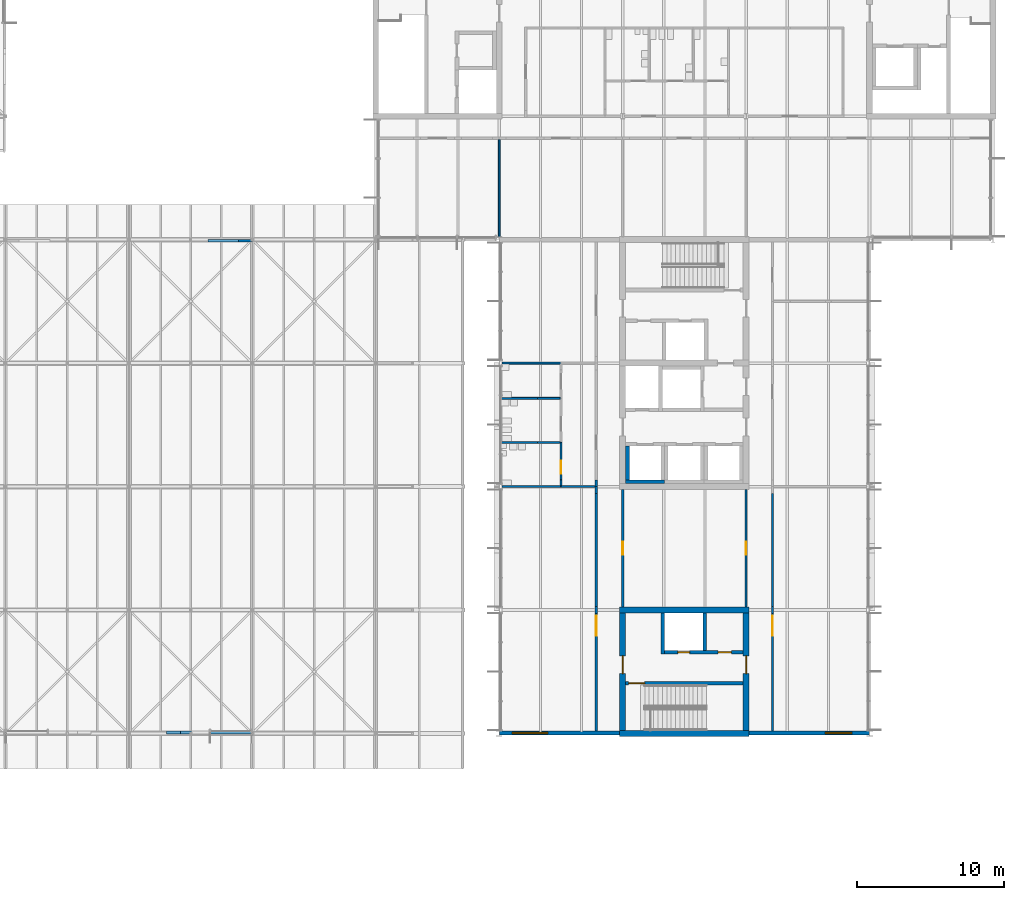
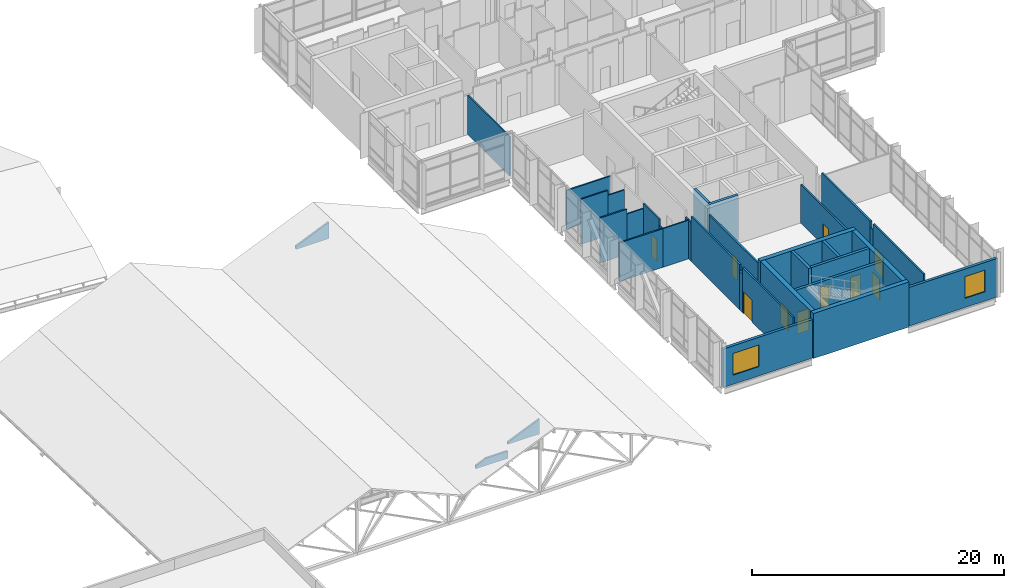
# One storey, part 34 of 76: 35 walls, 10 doors, 2 windows, 12 openings.
"""IFC4 building model written with IfcOpenShell, lengths in metres."""

from ifc_helpers import new_model, si_unit, direction, frame, frame_2d, origin, place, context, subcontext, project, spatial, polyline, rectangle, outline, extrude, material, layer, layer_set, type_object, element, fill, save


model = new_model("IFC4")

# Units and contexts
model_context = context("Model", 3, precision=1e-05, world=origin(), true_north=direction((0.0, 1.0)))
body_context = subcontext(model_context, "Body", "Model", "MODEL_VIEW")
ifc_project = project(units=[si_unit("LENGTHUNIT", "METRE"), si_unit("AREAUNIT", "SQUARE_METRE"), si_unit("VOLUMEUNIT", "CUBIC_METRE"), si_unit("PLANEANGLEUNIT", "RADIAN"), si_unit("MASSUNIT", "GRAM", prefix="KILO")], contexts=[model_context])

# Site, building, storey
site_placement = place(None, origin())
site = spatial("IfcSite", under=ifc_project, at=site_placement, CompositionType="ELEMENT")
building_placement = place(site_placement, origin())
building = spatial("IfcBuilding", under=site, at=building_placement, Name="Hlaing Beacon Police Headquarters", CompositionType="ELEMENT")
storey_placement = place(building_placement, frame((0.0, 0.0, 18.89990234375)))
storey = spatial("IfcBuildingStorey", under=building, at=storey_placement, Name="L04", CompositionType="ELEMENT", Elevation=18.89990234375)

# Walls
ifc_material_1 = material(Name="Concrete C60/75", Category="concrete")
ifc_layer_1 = layer(ifc_material_1, 0.39990234375)
ifc_layer_set_1 = layer_set([ifc_layer_1], Name="Concrete C60/75")
wall_type_1 = type_object("IfcWallType", Name="Core shear wall 400", PredefinedType="SHEAR", material=ifc_layer_set_1)
for number, where, z_axis, x_axis, name in (
    (1, (109.0, 33.60009765625, 0.0), (0.0, 0.0, 1.0), (1.0, 0.0, 0.0), "Core shear wall"),
    (2, (109.0, 42.0, 0.0), (0.0, 0.0, 1.0), (1.0, 0.0, 0.0), "Core shear wall"),
):
    element("IfcWall", number, at=place(storey_placement, frame(where, z_axis=z_axis, x_axis=x_axis)), inside=storey, type_object=wall_type_1, Name=name, PredefinedType="SHEAR", context=body_context, shape_type="SweptSolid", body=[
        extrude(rectangle(XDim=8.800048828125, YDim=0.39990234375, at=frame_2d((4.39990234375, 0.0))), origin(), (0.0, 0.0, 1.0), 4.3701171875),
    ])

# Wall, opening, door
wall_1_placement = place(storey_placement, frame((109.199951171875, 33.800048828125, 0.0), z_axis=(0.0, 0.0, 1.0), x_axis=(0.0, 1.0, 0.0)))
wall_1 = element("IfcWall", 3, at=wall_1_placement, inside=storey, type_object=wall_type_1, Name="Core shear wall", PredefinedType="SHEAR", context=body_context, shape_type="SweptSolid", body=[
    extrude(rectangle(XDim=8.0, YDim=0.39990234375, at=frame_2d((4.0, 0.0))), origin(), (0.0, 0.0, 1.0), 4.3701171875),
])
opening_1_placement = place(wall_1_placement, frame((3.875, 0.0, 0.0)))
opening_1 = element("IfcOpeningElement", 4, at=opening_1_placement, cuts=wall_1, Name="Opening L04-912", PredefinedType="OPENING", context=body_context, shape_type="SweptSolid", body=[
    extrude(rectangle(XDim=1.199951171875, YDim=2.10009765625, at=frame_2d((0.60009765625, 1.050048828125))), frame((0.0, 0.2099609375, 0.0), z_axis=(0.0, -1.0, 0.0), x_axis=(1.0, 0.0, 0.0)), (0.0, 0.0, 1.0), 0.419921875),
])
ifc_material_2 = material(Name="Steel fire door leaf", Category="steel")
ifc_layer_2 = layer(ifc_material_2, 0.070068359375)
ifc_layer_set_2 = layer_set([ifc_layer_2], Name="Steel fire door leaf")
door_type_1 = type_object("IfcDoorType", Name="Steel fire door FD60S 1200x2100", OperationType="SINGLE_SWING_LEFT", PredefinedType="DOOR", material=ifc_layer_set_2)
door_1_placement = place(opening_1_placement, frame((1.199951171875, 0.0, 0.0), z_axis=(0.0, 0.0, 1.0), x_axis=(-1.0, 0.0, 0.0)))
door_1 = element("IfcDoor", 5, at=door_1_placement, inside=storey, type_object=door_type_1, Name="Door Stair Lobby ST-L Entry", OperationType="SINGLE_SWING_RIGHT", OverallHeight=2.10009765625, OverallWidth=1.199951171875, PredefinedType="DOOR", context=body_context, shape_type="SweptSolid", body=[
    extrude(rectangle(XDim=1.199951171875, YDim=2.10009765625, at=frame_2d((0.599853515625, 1.050048828125))), frame((0.0, 0.034912109375, 0.0), z_axis=(0.0, -1.0, 0.0), x_axis=(1.0, 0.0, 0.0)), (0.0, 0.0, 1.0), 0.070068359375),
])
fill(opening_1, door_1)

wall_2_placement = place(storey_placement, frame((117.60009765625, 33.800048828125, 0.0), z_axis=(0.0, 0.0, 1.0), x_axis=(0.0, 1.0, 0.0)))
wall_2 = element("IfcWall", 6, at=wall_2_placement, inside=storey, type_object=wall_type_1, Name="Core shear wall", PredefinedType="SHEAR", context=body_context, shape_type="SweptSolid", body=[
    extrude(rectangle(XDim=8.0, YDim=0.39990234375, at=frame_2d((4.0, 0.0))), origin(), (0.0, 0.0, 1.0), 4.3701171875),
])
opening_2_placement = place(wall_2_placement, frame((3.875, 0.0, 0.0)))
opening_2 = element("IfcOpeningElement", 7, at=opening_2_placement, cuts=wall_2, Name="Opening L04-913", PredefinedType="OPENING", context=body_context, shape_type="SweptSolid", body=[
    extrude(rectangle(XDim=1.199951171875, YDim=2.10009765625, at=frame_2d((0.60009765625, 1.050048828125))), frame((0.0, 0.2099609375, 0.0), z_axis=(0.0, -1.0, 0.0), x_axis=(1.0, 0.0, 0.0)), (0.0, 0.0, 1.0), 0.419921875),
])
door_2_placement = place(opening_2_placement, origin())
door_2 = element("IfcDoor", 8, at=door_2_placement, inside=storey, type_object=door_type_1, Name="Door Stair Lobby ST-L Entry", OperationType="SINGLE_SWING_LEFT", OverallHeight=2.10009765625, OverallWidth=1.199951171875, PredefinedType="DOOR", context=body_context, shape_type="SweptSolid", body=[
    extrude(rectangle(XDim=1.199951171875, YDim=2.10009765625, at=frame_2d((0.60009765625, 1.050048828125))), frame((0.0, 0.03515625, 0.0), z_axis=(0.0, -1.0, 0.0), x_axis=(1.0, 0.0, 0.0)), (0.0, 0.0, 1.0), 0.070068359375),
])
fill(opening_2, door_2)

ifc_material_3 = material(Name="Gypsum board partition")
ifc_layer_3 = layer(ifc_material_3, 0.14990234375)
ifc_layer_set_3 = layer_set([ifc_layer_3], Name="Gypsum board partition")
wall_type_2 = type_object("IfcWallType", Name="Corridor wall EI 30 150", PredefinedType="PARTITIONING", material=ifc_layer_set_3)
wall_3_placement = place(storey_placement, frame((119.39990234375, 33.75, 0.0), z_axis=(0.0, 0.0, 1.0), x_axis=(0.0, 1.0, 0.0)))
wall_3 = element("IfcWall", 9, at=wall_3_placement, inside=storey, type_object=wall_type_2, Name="Corridor wall EI 30 150", PredefinedType="PARTITIONING", context=body_context, shape_type="SweptSolid", body=[
    extrude(rectangle(XDim=8.02001953125, YDim=0.14990234375, at=frame_2d((4.010009765625, 0.0))), origin(), (0.0, 0.0, 1.0), 4.3701171875),
])
opening_3_placement = place(wall_3_placement, frame((6.5, 0.0, 0.0)))
opening_3 = element("IfcOpeningElement", 10, at=opening_3_placement, cuts=wall_3, Name="Opening L04-001", PredefinedType="OPENING", context=body_context, shape_type="SweptSolid", body=[
    extrude(rectangle(XDim=1.35009765625, YDim=2.10009765625, at=frame_2d((0.675048828125, 1.050048828125))), frame((0.0, 0.0849609375, 0.0), z_axis=(0.0, -1.0, 0.0), x_axis=(1.0, 0.0, 0.0)), (0.0, 0.0, 1.0), 0.169921875),
])
ifc_material_4 = material(Name="Hardwood door leaf", Category="wood")
ifc_layer_4 = layer(ifc_material_4, 0.050048828125)
ifc_layer_set_4 = layer_set([ifc_layer_4], Name="Hardwood door leaf")
door_type_2 = type_object("IfcDoorType", Name="Fire leaf-and-a-half door FD30S 1350x2100", OperationType="DOUBLE_DOOR_SINGLE_SWING", PredefinedType="DOOR", material=ifc_layer_set_4)
door_3_placement = place(opening_3_placement, frame((1.35009765625, 0.0, 0.0), z_axis=(0.0, 0.0, 1.0), x_axis=(-1.0, 0.0, 0.0)))
door_3 = element("IfcDoor", 11, at=door_3_placement, inside=storey, type_object=door_type_2, Name="Door Surveillance Operations Room", OperationType="DOUBLE_DOOR_SINGLE_SWING", OverallHeight=2.10009765625, OverallWidth=1.35009765625, PredefinedType="DOOR", context=body_context, shape_type="SweptSolid", body=[
    extrude(rectangle(XDim=1.35009765625, YDim=2.10009765625, at=frame_2d((0.675048828125, 1.050048828125))), frame((0.0, 0.025146484375, 0.0), z_axis=(0.0, -1.0, 0.0), x_axis=(1.0, 0.0, 0.0)), (0.0, 0.0, 1.0), 0.050048828125),
])
fill(opening_3, door_3)

# Walls
wall_4_placement = place(storey_placement, frame((119.39990234375, 41.77001953125, 0.0), z_axis=(0.0, 0.0, 1.0), x_axis=(0.0, 1.0, 0.0)))
element("IfcWall", 12, at=wall_4_placement, inside=storey, type_object=wall_type_2, Name="Corridor wall EI 30 150", PredefinedType="PARTITIONING", context=body_context, shape_type="SweptSolid", body=[
    extrude(rectangle(XDim=0.4599609375, YDim=0.14990234375, at=frame_2d((0.22998046875, 0.0))), origin(), (0.0, 0.0, 1.0), 3.74609375),
])
wall_5_placement = place(storey_placement, frame((119.39990234375, 42.22998046875, 0.0), z_axis=(0.0, 0.0, 1.0), x_axis=(0.0, 1.0, 0.0)))
element("IfcWall", 13, at=wall_5_placement, inside=storey, type_object=wall_type_2, Name="Corridor wall EI 30 150", PredefinedType="PARTITIONING", context=body_context, shape_type="SweptSolid", body=[
    extrude(rectangle(XDim=7.7099609375, YDim=0.14990234375, at=frame_2d((3.85498046875, 0.0))), origin(), (0.0, 0.0, 1.0), 4.3701171875),
])

# Wall, opening, door
wall_6_placement = place(storey_placement, frame((117.60009765625, 42.199951171875, 0.0), z_axis=(0.0, 0.0, 1.0), x_axis=(0.0, 1.0, 0.0)))
wall_6 = element("IfcWall", 14, at=wall_6_placement, inside=storey, type_object=wall_type_2, Name="Corridor wall EI 30 150", PredefinedType="PARTITIONING", context=body_context, shape_type="SweptSolid", body=[
    extrude(rectangle(XDim=8.0, YDim=0.14990234375, at=frame_2d((4.0, 0.0))), origin(), (0.0, 0.0, 1.0), 3.74609375),
])
opening_4_placement = place(wall_6_placement, frame((3.550048828125, 0.0, 0.0)))
opening_4 = element("IfcOpeningElement", 15, at=opening_4_placement, cuts=wall_6, Name="Opening L04-004", PredefinedType="OPENING", context=body_context, shape_type="SweptSolid", body=[
    extrude(rectangle(XDim=0.89990234375, YDim=2.10009765625, at=frame_2d((0.449951171875, 1.050048828125))), frame((0.0, 0.0849609375, 0.0), z_axis=(0.0, -1.0, 0.0), x_axis=(1.0, 0.0, 0.0)), (0.0, 0.0, 1.0), 0.169921875),
])
ifc_material_5 = material(Name="Hardwood door leaf", Category="wood")
ifc_layer_5 = layer(ifc_material_5, 0.050048828125)
ifc_layer_set_5 = layer_set([ifc_layer_5], Name="Hardwood door leaf")
door_type_3 = type_object("IfcDoorType", Name="Fire door FD30S 900x2100", OperationType="SINGLE_SWING_LEFT", PredefinedType="DOOR", material=ifc_layer_set_5)
door_4_placement = place(opening_4_placement, origin())
door_4 = element("IfcDoor", 16, at=door_4_placement, inside=storey, type_object=door_type_3, Name="Door Covert Operations Office", OperationType="SINGLE_SWING_RIGHT", OverallHeight=2.10009765625, OverallWidth=0.89990234375, PredefinedType="DOOR", context=body_context, shape_type="SweptSolid", body=[
    extrude(rectangle(XDim=0.89990234375, YDim=2.10009765625, at=frame_2d((0.449951171875, 1.050048828125))), frame((0.0, 0.02490234375, 0.0), z_axis=(0.0, -1.0, 0.0), x_axis=(1.0, 0.0, 0.0)), (0.0, 0.0, 1.0), 0.050048828125),
])
fill(opening_4, door_4)

wall_7_placement = place(storey_placement, frame((109.199951171875, 42.199951171875, 0.0), z_axis=(0.0, 0.0, 1.0), x_axis=(0.0, 1.0, 0.0)))
wall_7 = element("IfcWall", 17, at=wall_7_placement, inside=storey, type_object=wall_type_2, Name="Corridor wall EI 30 150", PredefinedType="PARTITIONING", context=body_context, shape_type="SweptSolid", body=[
    extrude(rectangle(XDim=8.0, YDim=0.14990234375, at=frame_2d((4.0, 0.0))), origin(), (0.0, 0.0, 1.0), 3.74609375),
])
opening_5_placement = place(wall_7_placement, frame((3.550048828125, 0.0, 0.0)))
opening_5 = element("IfcOpeningElement", 18, at=opening_5_placement, cuts=wall_7, Name="Opening L04-005", PredefinedType="OPENING", context=body_context, shape_type="SweptSolid", body=[
    extrude(rectangle(XDim=0.89990234375, YDim=2.10009765625, at=frame_2d((0.449951171875, 1.050048828125))), frame((0.0, 0.0849609375, 0.0), z_axis=(0.0, -1.0, 0.0), x_axis=(1.0, 0.0, 0.0)), (0.0, 0.0, 1.0), 0.169921875),
])
door_5_placement = place(opening_5_placement, frame((0.89990234375, 0.0, 0.0), z_axis=(0.0, 0.0, 1.0), x_axis=(-1.0, 0.0, 0.0)))
door_5 = element("IfcDoor", 19, at=door_5_placement, inside=storey, type_object=door_type_3, Name="Door Covert Operations Office", OperationType="SINGLE_SWING_LEFT", OverallHeight=2.10009765625, OverallWidth=0.89990234375, PredefinedType="DOOR", context=body_context, shape_type="SweptSolid", body=[
    extrude(rectangle(XDim=0.89990234375, YDim=2.10009765625, at=frame_2d((0.449951171875, 1.050048828125))), frame((0.0, 0.025146484375, 0.0), z_axis=(0.0, -1.0, 0.0), x_axis=(1.0, 0.0, 0.0)), (0.0, 0.0, 1.0), 0.050048828125),
])
fill(opening_5, door_5)

wall_8_placement = place(storey_placement, frame((107.39990234375, 33.75, 0.0), z_axis=(0.0, 0.0, 1.0), x_axis=(0.0, 1.0, 0.0)))
wall_8 = element("IfcWall", 20, at=wall_8_placement, inside=storey, type_object=wall_type_2, Name="Corridor wall EI 30 150", PredefinedType="PARTITIONING", context=body_context, shape_type="SweptSolid", body=[
    extrude(rectangle(XDim=8.02001953125, YDim=0.14990234375, at=frame_2d((4.010009765625, 0.0))), origin(), (0.0, 0.0, 1.0), 4.3701171875),
])
opening_6_placement = place(wall_8_placement, frame((6.5, 0.0, 0.0)))
opening_6 = element("IfcOpeningElement", 21, at=opening_6_placement, cuts=wall_8, Name="Opening L04-006", PredefinedType="OPENING", context=body_context, shape_type="SweptSolid", body=[
    extrude(rectangle(XDim=1.35009765625, YDim=2.10009765625, at=frame_2d((0.675048828125, 1.050048828125))), frame((0.0, 0.0849609375, 0.0), z_axis=(0.0, -1.0, 0.0), x_axis=(1.0, 0.0, 0.0)), (0.0, 0.0, 1.0), 0.169921875),
])
door_6_placement = place(opening_6_placement, origin())
door_6 = element("IfcDoor", 22, at=door_6_placement, inside=storey, type_object=door_type_2, Name="Door Serious and Organised Crime Unit Office", OperationType="DOUBLE_DOOR_SINGLE_SWING", OverallHeight=2.10009765625, OverallWidth=1.35009765625, PredefinedType="DOOR", context=body_context, shape_type="SweptSolid", body=[
    extrude(rectangle(XDim=1.35009765625, YDim=2.10009765625, at=frame_2d((0.675048828125, 1.050048828125))), frame((0.0, 0.02490234375, 0.0), z_axis=(0.0, -1.0, 0.0), x_axis=(1.0, 0.0, 0.0)), (0.0, 0.0, 1.0), 0.050048828125),
])
fill(opening_6, door_6)

# Walls
wall_9_placement = place(storey_placement, frame((107.39990234375, 41.77001953125, 0.0), z_axis=(0.0, 0.0, 1.0), x_axis=(0.0, 1.0, 0.0)))
element("IfcWall", 23, at=wall_9_placement, inside=storey, type_object=wall_type_2, Name="Corridor wall EI 30 150", PredefinedType="PARTITIONING", context=body_context, shape_type="SweptSolid", body=[
    extrude(rectangle(XDim=0.4599609375, YDim=0.14990234375, at=frame_2d((0.22998046875, 0.0))), origin(), (0.0, 0.0, 1.0), 3.74609375),
])
wall_10_placement = place(storey_placement, frame((107.39990234375, 42.22998046875, 0.0), z_axis=(0.0, 0.0, 1.0), x_axis=(0.0, 1.0, 0.0)))
element("IfcWall", 24, at=wall_10_placement, inside=storey, type_object=wall_type_2, Name="Corridor wall EI 30 150", PredefinedType="PARTITIONING", context=body_context, shape_type="SweptSolid", body=[
    extrude(rectangle(XDim=7.7099609375, YDim=0.14990234375, at=frame_2d((3.85498046875, 0.0))), origin(), (0.0, 0.0, 1.0), 4.3701171875),
])
wall_11_placement = place(storey_placement, frame((107.39990234375, 49.93994140625, 0.0), z_axis=(0.0, 0.0, 1.0), x_axis=(0.0, 1.0, 0.0)))
element("IfcWall", 25, at=wall_11_placement, inside=storey, type_object=wall_type_2, Name="Corridor wall EI 30 150", PredefinedType="PARTITIONING", context=body_context, shape_type="SweptSolid", body=[
    extrude(rectangle(XDim=0.4599609375, YDim=0.14990234375, at=frame_2d((0.22998046875, 0.0))), origin(), (0.0, 0.0, 1.0), 3.74609375),
])
wall_12_placement = place(storey_placement, frame((107.39990234375, 50.39990234375, 0.0), z_axis=(0.0, 0.0, 1.0), x_axis=(0.0, 1.0, 0.0)))
element("IfcWall", 26, at=wall_12_placement, inside=storey, type_object=wall_type_2, Name="Corridor wall EI 30 150", PredefinedType="PARTITIONING", context=body_context, shape_type="SweptSolid", body=[
    extrude(rectangle(XDim=0.460205078125, YDim=0.14990234375, at=frame_2d((0.22998046875, 0.0))), origin(), (0.0, 0.0, 1.0), 3.74609375),
])
ifc_material_6 = material(Name="Insulated aluminium panel infill", Category="aluminium")
ifc_layer_6 = layer(ifc_material_6, 0.175048828125)
ifc_layer_set_6 = layer_set([ifc_layer_6], Name="Insulated aluminium panel infill")
wall_type_3 = type_object("IfcWallType", Name="Insulated panel infill wall 175", PredefinedType="SOLIDWALL", material=ifc_layer_set_6)
wall_13_placement = place(storey_placement, frame((84.0, 67.137451171875, 0.0), z_axis=(0.0, 0.0, 1.0), x_axis=(-1.0, 0.0, 0.0)))
element("IfcWall", 27, at=wall_13_placement, inside=storey, type_object=wall_type_3, Name="Gable fascia L04 N001", PredefinedType="SOLIDWALL", context=body_context, shape_type="SweptSolid", body=[
    extrude(outline(polyline([(0.0, 0.0), (3.033203125, 0.0), (3.033203125, 0.300048828125), (0.0, 1.60009765625), (0.0, 0.0)])), frame((0.0, 0.08740234375, 0.0), z_axis=(0.0, -1.0, 0.0), x_axis=(1.0, 0.0, 0.0)), (0.0, 0.0, 1.0), 0.175048828125),
])
wall_14_placement = place(storey_placement, frame((78.166748046875, 33.66259765625, 0.0), z_axis=(0.0, 0.0, 1.0), x_axis=(1.0, 0.0, 0.0)))
element("IfcWall", 28, at=wall_14_placement, inside=storey, type_object=wall_type_3, Name="Gable fascia L04 S005", PredefinedType="SOLIDWALL", context=body_context, shape_type="SweptSolid", body=[
    extrude(outline(polyline([(0.0, 0.0), (2.91650390625, 0.0), (2.91650390625, 0.701171875), (0.935546875, 0.701171875), (0.0, 0.300048828125), (0.0, 0.0)])), frame((0.0, 0.08740234375, 0.0), z_axis=(0.0, -1.0, 0.0), x_axis=(1.0, 0.0, 0.0)), (0.0, 0.0, 1.0), 0.175048828125),
])
wall_15_placement = place(storey_placement, frame((81.083251953125, 33.66259765625, 1.35009765625), z_axis=(0.0, 0.0, 1.0), x_axis=(1.0, 0.0, 0.0)))
element("IfcWall", 29, at=wall_15_placement, inside=storey, type_object=wall_type_3, Name="Gable fascia L04 S006", PredefinedType="SOLIDWALL", context=body_context, shape_type="SweptSolid", body=[
    extrude(outline(polyline([(0.0, 0.0), (2.916748046875, 0.0), (2.916748046875, 1.449951171875), (0.0, 0.199951171875), (0.0, 0.0)])), frame((0.0, 0.08740234375, 0.0), z_axis=(0.0, -1.0, 0.0), x_axis=(1.0, 0.0, 0.0)), (0.0, 0.0, 1.0), 0.175048828125),
])
ifc_material_7 = material(Name="Gypsum board partition")
ifc_layer_7 = layer(ifc_material_7, 0.125)
ifc_layer_set_7 = layer_set([ifc_layer_7], Name="Gypsum board partition")
wall_type_4 = type_object("IfcWallType", Name="Partition 125", PredefinedType="PARTITIONING", material=ifc_layer_set_7)
wall_16_placement = place(storey_placement, frame((105.0, 50.39990234375, 0.0), z_axis=(0.0, 0.0, 1.0), x_axis=(1.0, 0.0, 0.0)))
element("IfcWall", 30, at=wall_16_placement, inside=storey, type_object=wall_type_4, Name="Partition 125", PredefinedType="PARTITIONING", context=body_context, shape_type="SweptSolid", body=[
    extrude(rectangle(XDim=2.324951171875, YDim=0.125, at=frame_2d((1.16259765625, 0.0))), origin(), (0.0, 0.0, 1.0), 3.74609375),
])
wall_17_placement = place(storey_placement, frame((100.9970703125, 50.39990234375, 0.0), z_axis=(0.0, 0.0, 1.0), x_axis=(1.0, 0.0, 0.0)))
element("IfcWall", 31, at=wall_17_placement, inside=storey, type_object=wall_type_4, Name="Partition 125", PredefinedType="PARTITIONING", context=body_context, shape_type="SweptSolid", body=[
    extrude(rectangle(XDim=4.0029296875, YDim=0.125, at=frame_2d((2.00146484375, 0.0))), origin(), (0.0, 0.0, 1.0), 3.74609375),
])
wall_18_placement = place(storey_placement, frame((100.949951171875, 56.39990234375, 0.0), z_axis=(0.0, 0.0, 1.0), x_axis=(1.0, 0.0, 0.0)))
element("IfcWall", 32, at=wall_18_placement, inside=storey, type_object=wall_type_4, Name="Partition 125", PredefinedType="PARTITIONING", context=body_context, shape_type="SweptSolid", body=[
    extrude(rectangle(XDim=2.45703125, YDim=0.125, at=frame_2d((1.228515625, 0.0))), origin(), (0.0, 0.0, 1.0), 4.3701171875),
])
wall_19_placement = place(storey_placement, frame((103.406982421875, 56.39990234375, 0.0), z_axis=(0.0, 0.0, 1.0), x_axis=(1.0, 0.0, 0.0)))
element("IfcWall", 33, at=wall_19_placement, inside=storey, type_object=wall_type_4, Name="Partition 125", PredefinedType="PARTITIONING", context=body_context, shape_type="SweptSolid", body=[
    extrude(rectangle(XDim=1.531005859375, YDim=0.125, at=frame_2d((0.765625, 0.0))), origin(), (0.0, 0.0, 1.0), 3.89501953125),
])
wall_20_placement = place(storey_placement, frame((100.9970703125, 58.800048828125, 0.0), z_axis=(0.0, 0.0, 1.0), x_axis=(1.0, 0.0, 0.0)))
element("IfcWall", 34, at=wall_20_placement, inside=storey, type_object=wall_type_4, Name="Partition 125", PredefinedType="PARTITIONING", context=body_context, shape_type="SweptSolid", body=[
    extrude(rectangle(XDim=4.0029296875, YDim=0.125, at=frame_2d((2.00146484375, 0.0))), origin(), (0.0, 0.0, 1.0), 3.74609375),
])
wall_21_placement = place(storey_placement, frame((100.949951171875, 53.39990234375, 0.0), z_axis=(0.0, 0.0, 1.0), x_axis=(1.0, 0.0, 0.0)))
element("IfcWall", 35, at=wall_21_placement, inside=storey, type_object=wall_type_4, Name="Partition 125", PredefinedType="PARTITIONING", context=body_context, shape_type="SweptSolid", body=[
    extrude(rectangle(XDim=2.45703125, YDim=0.125, at=frame_2d((1.228515625, 0.0))), origin(), (0.0, 0.0, 1.0), 4.3701171875),
])
wall_22_placement = place(storey_placement, frame((103.406982421875, 53.39990234375, 0.0), z_axis=(0.0, 0.0, 1.0), x_axis=(1.0, 0.0, 0.0)))
element("IfcWall", 36, at=wall_22_placement, inside=storey, type_object=wall_type_4, Name="Partition 125", PredefinedType="PARTITIONING", context=body_context, shape_type="SweptSolid", body=[
    extrude(rectangle(XDim=1.531005859375, YDim=0.125, at=frame_2d((0.765625, 0.0))), origin(), (0.0, 0.0, 1.0), 3.89501953125),
])
wall_23_placement = place(storey_placement, frame((105.0, 50.4619140625, 0.0), z_axis=(0.0, 0.0, 1.0), x_axis=(0.0, 1.0, 0.0)))
element("IfcWall", 37, at=wall_23_placement, inside=storey, type_object=wall_type_4, Name="Partition 125", PredefinedType="PARTITIONING", context=body_context, shape_type="SweptSolid", body=[
    extrude(rectangle(XDim=0.385009765625, YDim=0.125, at=frame_2d((0.1923828125, 0.0))), origin(), (0.0, 0.0, 1.0), 3.74609375),
])

# Wall, opening, door
wall_24_placement = place(storey_placement, frame((105.0, 50.846923828125, 0.0), z_axis=(0.0, 0.0, 1.0), x_axis=(0.0, 1.0, 0.0)))
wall_24 = element("IfcWall", 38, at=wall_24_placement, inside=storey, type_object=wall_type_4, Name="Partition 125", PredefinedType="PARTITIONING", context=body_context, shape_type="SweptSolid", body=[
    extrude(rectangle(XDim=2.552978515625, YDim=0.125, at=frame_2d((1.2763671875, 0.0))), origin(), (0.0, 0.0, 1.0), 4.3701171875),
])
opening_7_placement = place(wall_24_placement, frame((0.4150390625, 0.0, 0.0)))
opening_7 = element("IfcOpeningElement", 39, at=opening_7_placement, cuts=wall_24, Name="Opening L04-010", PredefinedType="OPENING", context=body_context, shape_type="SweptSolid", body=[
    extrude(rectangle(XDim=0.89990234375, YDim=2.10009765625, at=frame_2d((0.449951171875, 1.050048828125))), frame((0.0, 0.072509765625, 0.0), z_axis=(0.0, -1.0, 0.0), x_axis=(1.0, 0.0, 0.0)), (0.0, 0.0, 1.0), 0.14501953125),
])
ifc_material_8 = material(Name="Hardwood door leaf", Category="wood")
ifc_layer_8 = layer(ifc_material_8, 0.0400390625)
ifc_layer_set_8 = layer_set([ifc_layer_8], Name="Hardwood door leaf")
door_type_4 = type_object("IfcDoorType", Name="Door 900x2100", OperationType="SINGLE_SWING_LEFT", PredefinedType="DOOR", material=ifc_layer_set_8)
door_7_placement = place(opening_7_placement, origin())
door_7 = element("IfcDoor", 40, at=door_7_placement, inside=storey, type_object=door_type_4, Name="Door Male WC", OperationType="SINGLE_SWING_RIGHT", OverallHeight=2.10009765625, OverallWidth=0.89990234375, PredefinedType="DOOR", context=body_context, shape_type="SweptSolid", body=[
    extrude(rectangle(XDim=0.89990234375, YDim=2.10009765625, at=frame_2d((0.449951171875, 1.050048828125))), frame((0.0, 0.02001953125, 0.0), z_axis=(0.0, -1.0, 0.0), x_axis=(1.0, 0.0, 0.0)), (0.0, 0.0, 1.0), 0.0400390625),
])
fill(opening_7, door_7)

# Wall
wall_25_placement = place(storey_placement, frame((100.800048828125, 67.384033203125, 0.0), z_axis=(0.0, 0.0, 1.0), x_axis=(0.0, 1.0, 0.0)))
element("IfcWall", 41, at=wall_25_placement, inside=storey, type_object=wall_type_4, Name="Partition 125", PredefinedType="PARTITIONING", context=body_context, shape_type="SweptSolid", body=[
    extrude(rectangle(XDim=6.640869140625, YDim=0.125, at=frame_2d((3.3203125, 0.0))), origin(), (0.0, 0.0, 1.0), 3.819091796875),
])

# Wall, opening, window
ifc_material_9 = material(Name="Concrete C40/50 precast ribbed cladding", Category="concrete")
ifc_layer_9 = layer(ifc_material_9, 0.25)
ifc_layer_set_9 = layer_set([ifc_layer_9], Name="Concrete C40/50 precast ribbed cladding")
wall_type_5 = type_object("IfcWallType", Name="Precast ribbed wall 250", PredefinedType="SOLIDWALL", material=ifc_layer_set_9)
wall_26_placement = place(storey_placement, frame((100.802734375, 33.625, 0.0), z_axis=(0.0, 0.0, 1.0), x_axis=(1.0, 0.0, 0.0)))
wall_26 = element("IfcWall", 42, at=wall_26_placement, inside=storey, type_object=wall_type_5, Name="External wall L04 S031", PredefinedType="SOLIDWALL", context=body_context, shape_type="SweptSolid", body=[
    extrude(rectangle(XDim=8.197265625, YDim=0.25, at=frame_2d((4.0986328125, 0.0))), origin(), (0.0, 0.0, 1.0), 3.74609375),
])
opening_8_placement = place(wall_26_placement, frame((0.897216796875, 0.0, 0.89990234375)))
opening_8 = element("IfcOpeningElement", 43, at=opening_8_placement, cuts=wall_26, Name="Opening WN28", PredefinedType="OPENING", context=body_context, shape_type="SweptSolid", body=[
    extrude(rectangle(XDim=2.39990234375, YDim=2.10009765625, at=frame_2d((1.199951171875, 1.050048828125))), frame((0.0, 0.135009765625, 0.0), z_axis=(0.0, -1.0, 0.0), x_axis=(1.0, 0.0, 0.0)), (0.0, 0.0, 1.0), 0.27001953125),
])
ifc_material_10 = material(Name="Aluminium frame with solar control glazing", Category="aluminium")
window_type_1 = type_object("IfcWindowType", Name="Window 2400x2100 frame 80", PartitioningType="SINGLE_PANEL", PredefinedType="WINDOW", material=ifc_material_10)
window_1_placement = place(opening_8_placement, origin())
window_1 = element("IfcWindow", 44, at=window_1_placement, inside=storey, type_object=window_type_1, Name="Window L04 WA", OverallHeight=2.10009765625, OverallWidth=2.39990234375, PartitioningType="SINGLE_PANEL", PredefinedType="WINDOW", context=body_context, shape_type="SweptSolid", body=[
    extrude(rectangle(XDim=2.39990234375, YDim=2.10009765625, at=frame_2d((1.199951171875, 1.050048828125))), frame((0.0, 0.0400390625, 0.0), z_axis=(0.0, -1.0, 0.0), x_axis=(1.0, 0.0, 0.0)), (0.0, 0.0, 1.0), 0.080078125),
])
fill(opening_8, window_1)

wall_27_placement = place(storey_placement, frame((117.800048828125, 33.625, 0.0), z_axis=(0.0, 0.0, 1.0), x_axis=(1.0, 0.0, 0.0)))
wall_27 = element("IfcWall", 45, at=wall_27_placement, inside=storey, type_object=wall_type_5, Name="External wall L04 S032", PredefinedType="SOLIDWALL", context=body_context, shape_type="SweptSolid", body=[
    extrude(rectangle(XDim=8.196533203125, YDim=0.25, at=frame_2d((4.09814453125, 0.0))), origin(), (0.0, 0.0, 1.0), 3.74609375),
])
opening_9_placement = place(wall_27_placement, frame((5.199951171875, 0.0, 0.89990234375)))
opening_9 = element("IfcOpeningElement", 46, at=opening_9_placement, cuts=wall_27, Name="Opening WN16", PredefinedType="OPENING", context=body_context, shape_type="SweptSolid", body=[
    extrude(rectangle(XDim=1.800048828125, YDim=2.10009765625, at=frame_2d((0.89990234375, 1.050048828125))), frame((0.0, 0.135009765625, 0.0), z_axis=(0.0, -1.0, 0.0), x_axis=(1.0, 0.0, 0.0)), (0.0, 0.0, 1.0), 0.27001953125),
])
ifc_material_11 = material(Name="Aluminium frame with solar control glazing", Category="aluminium")
window_type_2 = type_object("IfcWindowType", Name="Wide window 1800x2100 frame 80", PartitioningType="SINGLE_PANEL", PredefinedType="WINDOW", material=ifc_material_11)
window_2_placement = place(opening_9_placement, origin())
window_2 = element("IfcWindow", 47, at=window_2_placement, inside=storey, type_object=window_type_2, Name="Window L04 WM", OverallHeight=2.10009765625, OverallWidth=1.800048828125, PartitioningType="SINGLE_PANEL", PredefinedType="WINDOW", context=body_context, shape_type="SweptSolid", body=[
    extrude(rectangle(XDim=1.800048828125, YDim=2.10009765625, at=frame_2d((0.89990234375, 1.050048828125))), frame((0.0, 0.0400390625, 0.0), z_axis=(0.0, -1.0, 0.0), x_axis=(1.0, 0.0, 0.0)), (0.0, 0.0, 1.0), 0.080078125),
])
fill(opening_9, window_2)

# Wall, opening, door
ifc_material_12 = material(Name="Concrete C40/50", Category="concrete")
ifc_layer_10 = layer(ifc_material_12, 0.25)
ifc_layer_set_10 = layer_set([ifc_layer_10], Name="Concrete C40/50")
wall_type_6 = type_object("IfcWallType", Name="Shaft wall 250", PredefinedType="SOLIDWALL", material=ifc_layer_set_10)
wall_28_placement = place(storey_placement, frame((109.39990234375, 37.02490234375, 0.0), z_axis=(0.0, 0.0, 1.0), x_axis=(1.0, 0.0, 0.0)))
wall_28 = element("IfcWall", 48, at=wall_28_placement, inside=storey, type_object=wall_type_6, Name="Stair enclosure wall", PredefinedType="SOLIDWALL", context=body_context, shape_type="SweptSolid", body=[
    extrude(rectangle(XDim=8.0, YDim=0.25, at=frame_2d((4.0, 0.0))), origin(), (0.0, 0.0, 1.0), 4.3701171875),
])
opening_10_placement = place(wall_28_placement, frame((0.199951171875, 0.0, 0.0)))
opening_10 = element("IfcOpeningElement", 49, at=opening_10_placement, cuts=wall_28, Name="Opening L04-915", PredefinedType="OPENING", context=body_context, shape_type="SweptSolid", body=[
    extrude(rectangle(XDim=1.10009765625, YDim=2.10009765625, at=frame_2d((0.550048828125, 1.050048828125))), frame((0.0, 0.135009765625, 0.0), z_axis=(0.0, -1.0, 0.0), x_axis=(1.0, 0.0, 0.0)), (0.0, 0.0, 1.0), 0.27001953125),
])
ifc_material_13 = material(Name="Steel fire door leaf", Category="steel")
ifc_layer_11 = layer(ifc_material_13, 0.070068359375)
ifc_layer_set_11 = layer_set([ifc_layer_11], Name="Steel fire door leaf")
door_type_5 = type_object("IfcDoorType", Name="Steel fire door FD60 1100x2100", OperationType="SINGLE_SWING_LEFT", PredefinedType="DOOR", material=ifc_layer_set_11)
door_8_placement = place(opening_10_placement, frame((1.10009765625, 0.0, 0.0), z_axis=(0.0, 0.0, 1.0), x_axis=(-1.0, 0.0, 0.0)))
door_8 = element("IfcDoor", 50, at=door_8_placement, inside=storey, type_object=door_type_5, Name="Door Stair ST-L", OperationType="SINGLE_SWING_LEFT", OverallHeight=2.10009765625, OverallWidth=1.10009765625, PredefinedType="DOOR", context=body_context, shape_type="SweptSolid", body=[
    extrude(rectangle(XDim=1.10009765625, YDim=2.10009765625, at=frame_2d((0.550048828125, 1.050048828125))), frame((0.0, 0.034912109375, 0.0), z_axis=(0.0, -1.0, 0.0), x_axis=(1.0, 0.0, 0.0)), (0.0, 0.0, 1.0), 0.070068359375),
])
fill(opening_10, door_8)

# Wall
wall_29_placement = place(storey_placement, frame((111.925048828125, 39.0, 0.0), z_axis=(0.0, 0.0, 1.0), x_axis=(0.0, 1.0, 0.0)))
element("IfcWall", 51, at=wall_29_placement, inside=storey, type_object=wall_type_6, Name="Lobby wall", PredefinedType="SOLIDWALL", context=body_context, shape_type="SweptSolid", body=[
    extrude(rectangle(XDim=2.800048828125, YDim=0.25, at=frame_2d((1.39990234375, 0.0))), origin(), (0.0, 0.0, 1.0), 4.3701171875),
])

# Wall, openings, doors
wall_30_placement = place(storey_placement, frame((112.050048828125, 39.125, 0.0), z_axis=(0.0, 0.0, 1.0), x_axis=(1.0, 0.0, 0.0)))
wall_30 = element("IfcWall", 52, at=wall_30_placement, inside=storey, type_object=wall_type_6, Name="Lobby wall", PredefinedType="SOLIDWALL", context=body_context, shape_type="SweptSolid", body=[
    extrude(rectangle(XDim=5.349853515625, YDim=0.25, at=frame_2d((2.6748046875, 0.0))), origin(), (0.0, 0.0, 1.0), 4.3701171875),
])
opening_11_placement = place(wall_30_placement, frame((3.64990234375, 0.0, 0.0)))
opening_11 = element("IfcOpeningElement", 53, at=opening_11_placement, cuts=wall_30, Name="Opening L04-911", PredefinedType="OPENING", context=body_context, shape_type="SweptSolid", body=[
    extrude(rectangle(XDim=0.89990234375, YDim=2.10009765625, at=frame_2d((0.449951171875, 1.050048828125))), frame((0.0, 0.135009765625, 0.0), z_axis=(0.0, -1.0, 0.0), x_axis=(1.0, 0.0, 0.0)), (0.0, 0.0, 1.0), 0.27001953125),
])
opening_12_placement = place(wall_30_placement, frame((0.89990234375, 0.0, 0.0)))
opening_12 = element("IfcOpeningElement", 54, at=opening_12_placement, cuts=wall_30, Name="Opening L04-914", PredefinedType="OPENING", context=body_context, shape_type="SweptSolid", body=[
    extrude(rectangle(XDim=0.800048828125, YDim=2.10009765625, at=frame_2d((0.39990234375, 1.050048828125))), frame((0.0, 0.135009765625, 0.0), z_axis=(0.0, -1.0, 0.0), x_axis=(1.0, 0.0, 0.0)), (0.0, 0.0, 1.0), 0.27001953125),
])
ifc_material_14 = material(Name="Steel fire door leaf", Category="steel")
ifc_layer_12 = layer(ifc_material_14, 0.070068359375)
ifc_layer_set_12 = layer_set([ifc_layer_12], Name="Steel fire door leaf")
door_type_6 = type_object("IfcDoorType", Name="Steel fire door FD60 800x2100", OperationType="SINGLE_SWING_LEFT", PredefinedType="DOOR", material=ifc_layer_set_12)
door_9_placement = place(opening_12_placement, origin())
door_9 = element("IfcDoor", 55, at=door_9_placement, inside=storey, type_object=door_type_6, Name="Door Services Riser", OperationType="SINGLE_SWING_RIGHT", OverallHeight=2.10009765625, OverallWidth=0.800048828125, PredefinedType="DOOR", context=body_context, shape_type="SweptSolid", body=[
    extrude(rectangle(XDim=0.800048828125, YDim=2.10009765625, at=frame_2d((0.39990234375, 1.050048828125))), frame((0.0, 0.03515625, 0.0), z_axis=(0.0, -1.0, 0.0), x_axis=(1.0, 0.0, 0.0)), (0.0, 0.0, 1.0), 0.070068359375),
])
fill(opening_12, door_9)
ifc_material_15 = material(Name="Steel fire door leaf", Category="steel")
ifc_layer_13 = layer(ifc_material_15, 0.070068359375)
ifc_layer_set_13 = layer_set([ifc_layer_13], Name="Steel fire door leaf")
door_type_7 = type_object("IfcDoorType", Name="Steel fire door FD60 900x2100", OperationType="SINGLE_SWING_LEFT", PredefinedType="DOOR", material=ifc_layer_set_13)
door_10_placement = place(opening_11_placement, origin())
door_10 = element("IfcDoor", 56, at=door_10_placement, inside=storey, type_object=door_type_7, Name="Door Cleaners' Store", OperationType="SINGLE_SWING_LEFT", OverallHeight=2.10009765625, OverallWidth=0.89990234375, PredefinedType="DOOR", context=body_context, shape_type="SweptSolid", body=[
    extrude(rectangle(XDim=0.89990234375, YDim=2.10009765625, at=frame_2d((0.449951171875, 1.050048828125))), frame((0.0, 0.03515625, 0.0), z_axis=(0.0, -1.0, 0.0), x_axis=(1.0, 0.0, 0.0)), (0.0, 0.0, 1.0), 0.070068359375),
])
fill(opening_11, door_10)

# Walls
wall_31_placement = place(storey_placement, frame((114.77490234375, 39.25, 0.0), z_axis=(0.0, 0.0, 1.0), x_axis=(0.0, 1.0, 0.0)))
element("IfcWall", 57, at=wall_31_placement, inside=storey, type_object=wall_type_6, Name="Riser wall", PredefinedType="SOLIDWALL", context=body_context, shape_type="SweptSolid", body=[
    extrude(rectangle(XDim=2.550048828125, YDim=0.25, at=frame_2d((1.27490234375, 0.0))), origin(), (0.0, 0.0, 1.0), 4.3701171875),
])
wall_32_placement = place(storey_placement, frame((109.39990234375, 50.72509765625, 0.0), z_axis=(0.0, 0.0, 1.0), x_axis=(1.0, 0.0, 0.0)))
element("IfcWall", 58, at=wall_32_placement, inside=storey, type_object=wall_type_6, Name="Lift shaft wall PL7", PredefinedType="SOLIDWALL", context=body_context, shape_type="SweptSolid", body=[
    extrude(rectangle(XDim=2.650146484375, YDim=0.25, at=frame_2d((1.3251953125, 0.0))), origin(), (0.0, 0.0, 1.0), 4.3701171875),
])
wall_33_placement = place(storey_placement, frame((109.52490234375, 50.85009765625, 0.0), z_axis=(0.0, 0.0, 1.0), x_axis=(0.0, 1.0, 0.0)))
element("IfcWall", 59, at=wall_33_placement, inside=storey, type_object=wall_type_6, Name="Lift shaft wall PL7", PredefinedType="SOLIDWALL", context=body_context, shape_type="SweptSolid", body=[
    extrude(rectangle(XDim=2.2998046875, YDim=0.25, at=frame_2d((1.14990234375, 0.0))), origin(), (0.0, 0.0, 1.0), 4.3701171875),
])

save(model, "model.ifc")
